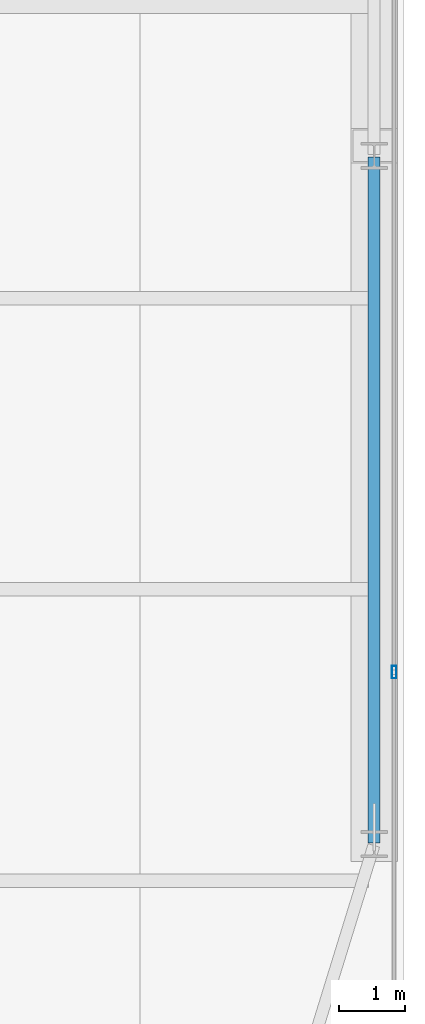
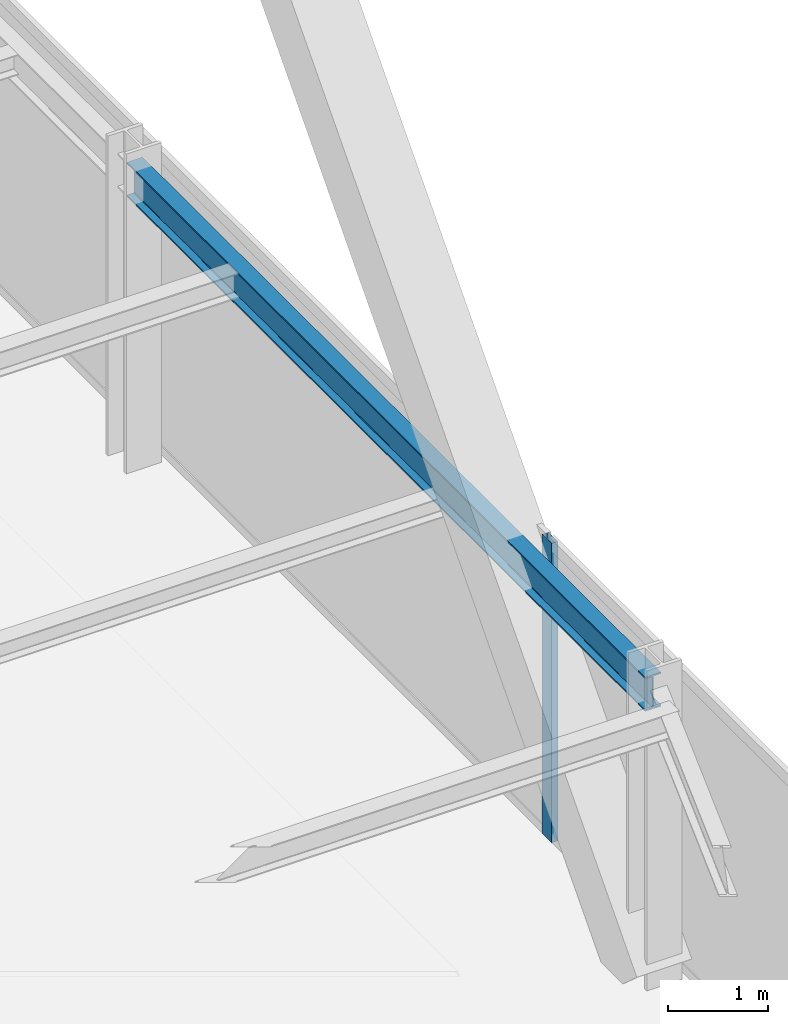
# One storey, part 17 of 32: 1 beam, 1 member, 1 element without a shape of its own.
"""IFC4 building model written with IfcOpenShell, lengths in metres."""

import ifcopenshell
import ifcopenshell.guid

model = None  # the IFC model being written
_history = None  # IfcOwnerHistory: only IFC2X3 demands one
_inside = {}  # id of a spatial element -> (the spatial element, [elements in it])
_under = {}  # id of a project, library or spatial element -> (it, [spatial elements below it])
_declared = {}  # id of a project -> (the project, [libraries it declares])
_typed = {}  # id of a type object -> (the type object, [elements of that type])
_made_of = {}  # id of a material, layer set ... -> (it, [elements and type objects made of it])


def new_model(schema):
    """Start an empty IFC model of exactly this schema.

    Asked for "IFC4X3", IfcOpenShell would pick the latest addendum, in which some entities
    have other attributes; the version numbers below select the first issue.
    IFC2X3 requires an IfcOwnerHistory on every rooted entity: one is made here for all.
    """
    global model, _history
    if schema == "IFC4X3":
        model = ifcopenshell.file(schema_version=(4, 3, 0, 0))
    else:
        model = ifcopenshell.file(schema=schema)
    _inside.clear()
    _under.clear()
    _declared.clear()
    _typed.clear()
    _made_of.clear()
    _history = None
    if model.schema == "IFC2X3":
        org = make("IfcOrganization", Name="unknown")
        user = make(
            "IfcPersonAndOrganization",
            ThePerson=make("IfcPerson", FamilyName="unknown"),
            TheOrganization=org,
        )
        app = make(
            "IfcApplication",
            ApplicationDeveloper=org,
            Version="unknown",
            ApplicationFullName="unknown",
            ApplicationIdentifier="unknown",
        )
        _history = make(
            "IfcOwnerHistory",
            OwningUser=user,
            OwningApplication=app,
            ChangeAction="ADDED",
            CreationDate=0,
        )
    return model


def make(cls, **values):
    """One entity of the class cls with the attributes given. An attribute that is None is left unset."""
    return model.create_entity(
        cls, **{name: value for name, value in values.items() if value is not None}
    )


def rooted(cls, **values):
    """An entity with a GlobalId (a new one), such as an element, a storey or a relation."""
    return make(cls, GlobalId=ifcopenshell.guid.new(), OwnerHistory=_history, **values)


def si_unit(unit_type, name, prefix=None):
    """IfcSIUnit, for example si_unit("LENGTHUNIT", "METRE", prefix="MILLI")."""
    return make("IfcSIUnit", UnitType=unit_type, Prefix=prefix, Name=name)


def assignment(units):
    """IfcUnitAssignment: the units of a project."""
    return None if units is None else make("IfcUnitAssignment", Units=units)


def point(xyz):
    """IfcCartesianPoint."""
    return None if xyz is None else make("IfcCartesianPoint", Coordinates=xyz)


def direction(xyz):
    """IfcDirection."""
    return None if xyz is None else make("IfcDirection", DirectionRatios=xyz)


def frame(location, z_axis=None, x_axis=None):
    """IfcAxis2Placement3D, a coordinate frame: its origin and axes. An axis left out is left unset."""
    return make(
        "IfcAxis2Placement3D",
        Location=point(location),
        Axis=direction(z_axis),
        RefDirection=direction(x_axis),
    )


def frame_2d(location, x_axis=None):
    """IfcAxis2Placement2D, a coordinate frame in the plane: its origin and x axis."""
    return make(
        "IfcAxis2Placement2D", Location=point(location), RefDirection=direction(x_axis)
    )


def origin():
    """The frame at (0, 0, 0) with its axes left unset."""
    return frame((0.0, 0.0, 0.0))


def origin_2d():
    """The frame at (0, 0) in the plane with its x axis left unset."""
    return frame_2d((0.0, 0.0))


def place(relative_to, where):
    """IfcLocalPlacement: puts the frame where relative to a parent placement (None: the world)."""
    return make(
        "IfcLocalPlacement", PlacementRelTo=relative_to, RelativePlacement=where
    )


def context(
    kind, dimensions, precision=None, world=None, true_north=None, identifier=None
):
    """IfcGeometricRepresentationContext, for example the 3D "Model" context."""
    return make(
        "IfcGeometricRepresentationContext",
        ContextIdentifier=identifier,
        ContextType=kind,
        CoordinateSpaceDimension=dimensions,
        Precision=precision,
        WorldCoordinateSystem=world,
        TrueNorth=true_north,
    )


def subcontext(parent, identifier, kind, view, scale=None):
    """IfcGeometricRepresentationSubContext, for example "Body" below "Model"."""
    return make(
        "IfcGeometricRepresentationSubContext",
        ContextIdentifier=identifier,
        ContextType=kind,
        ParentContext=parent,
        TargetScale=scale,
        TargetView=view,
    )


def project(units=None, contexts=None):
    """IfcProject with its units and contexts."""
    return rooted(
        "IfcProject",
        Name="project",
        RepresentationContexts=contexts,
        UnitsInContext=assignment(units),
    )


def spatial(cls, under=None, at=None, **own):
    """A site, building, storey or space (cls), placed at a placement, below another one or the project."""
    s = rooted(cls, ObjectPlacement=at, **own)
    if under is not None:
        _under.setdefault(under.id(), (under, []))[1].append(s)
    return s


def profile(cls, at=None, kind="AREA", **sizes):
    """A parametric profile (cls). Its sizes go by their IFC names, for example OverallWidth=200.0."""
    return make(cls, ProfileType=kind, Position=at, **sizes)


def hollow_rectangle(**sizes):
    """IfcRectangleHollowProfileDef."""
    return profile("IfcRectangleHollowProfileDef", **sizes)


def i_section(**sizes):
    """IfcIShapeProfileDef."""
    return profile("IfcIShapeProfileDef", **sizes)


def extrude(swept, where, along, depth):
    """IfcExtrudedAreaSolid: the profile swept, set in the frame where, extruded along a direction by depth."""
    return make(
        "IfcExtrudedAreaSolid",
        SweptArea=swept,
        Position=where,
        ExtrudedDirection=direction(along),
        Depth=depth,
    )


def shape(context_of_items, identifier, shape_type, items):
    """IfcShapeRepresentation: the items that make up one representation, for example the "Body"."""
    return make(
        "IfcShapeRepresentation",
        ContextOfItems=context_of_items,
        RepresentationIdentifier=identifier,
        RepresentationType=shape_type,
        Items=items,
    )


def source(mapping_origin, context_of_items, identifier, shape_type, items):
    """IfcRepresentationMap: a shape defined once, which mapped items show again and again."""
    return make(
        "IfcRepresentationMap",
        MappingOrigin=mapping_origin,
        MappedRepresentation=shape(context_of_items, identifier, shape_type, items),
    )


def transform(
    local_origin,
    x_axis=None,
    y_axis=None,
    z_axis=None,
    scale=None,
    scale2=None,
    scale3=None,
    uniform=True,
):
    """IfcCartesianTransformationOperator3D, or its non-uniform kind. x_axis, y_axis, z_axis: its Axis1, 2, 3."""
    if uniform:
        return make(
            "IfcCartesianTransformationOperator3D",
            Axis1=direction(x_axis),
            Axis2=direction(y_axis),
            LocalOrigin=point(local_origin),
            Scale=scale,
            Axis3=direction(z_axis),
        )
    return make(
        "IfcCartesianTransformationOperator3DnonUniform",
        Axis1=direction(x_axis),
        Axis2=direction(y_axis),
        LocalOrigin=point(local_origin),
        Scale=scale,
        Axis3=direction(z_axis),
        Scale2=scale2,
        Scale3=scale3,
    )


def mapped(mapping_source, mapping_target):
    """IfcMappedItem: shows the shape of a source again, moved by a transform."""
    return make(
        "IfcMappedItem", MappingSource=mapping_source, MappingTarget=mapping_target
    )


def material(Name=None, Category=None):
    """IfcMaterial."""
    return make("IfcMaterial", Name=Name, Category=Category)


def layer(
    of_material, thickness, ventilated=None, Name=None, Category=None, Priority=None
):
    """IfcMaterialLayer: one layer of a wall or slab, of a material (None: an air gap)."""
    return make(
        "IfcMaterialLayer",
        Material=of_material,
        LayerThickness=thickness,
        IsVentilated=ventilated,
        Name=Name,
        Category=Category,
        Priority=Priority,
    )


def layer_set(layers, Name=None):
    """IfcMaterialLayerSet."""
    return make("IfcMaterialLayerSet", MaterialLayers=layers, LayerSetName=Name)


def material_profile(
    of_material, cross_section, Name=None, Category=None, Priority=None
):
    """IfcMaterialProfile: a cross section and its material."""
    return make(
        "IfcMaterialProfile",
        Name=Name,
        Material=of_material,
        Profile=cross_section,
        Priority=Priority,
        Category=Category,
    )


def profile_set(profiles, Name=None, composite=None):
    """IfcMaterialProfileSet."""
    return make(
        "IfcMaterialProfileSet",
        Name=Name,
        MaterialProfiles=profiles,
        CompositeProfile=composite,
    )


def made_of(thing, what):
    """Note that an element or type object is made of a material, layer set ...; save() writes the relation."""
    if what is not None:
        _made_of.setdefault(what.id(), (what, []))[1].append(thing)
    return thing


def type_object(cls, material=None, **own):
    """A type object (cls), such as IfcWallType, which elements share."""
    return made_of(rooted(cls, **own), material)


def type_shapes(of_type, sources):
    """Give a type object the sources (RepresentationMaps) that its elements show as mapped items."""
    of_type.RepresentationMaps = sources


def element(
    cls,
    number,
    at=None,
    inside=None,
    cuts=None,
    type_object=None,
    material=None,
    context=None,
    identifier="Body",
    shape_type=None,
    held_by="IfcProductDefinitionShape",
    body=None,
    shapes=None,
    **own,
):
    """One element of the class cls, such as IfcWall. Its Tag is "e" and its number.

    at: its placement. inside: the storey or other place that contains it. cuts: it is an
    opening in that element (IfcRelVoidsElement). A single representation is given by context,
    identifier, shape_type and body (its items); several are given by shapes. held_by: the class
    of the entity that holds the representations. save() writes the other relations.
    """
    e = rooted(cls, Tag="e%d" % number, ObjectPlacement=at, **own)
    if body is not None:
        shapes = [shape(context, identifier, shape_type, body)]
    if shapes is not None:
        e.Representation = make(held_by, Representations=shapes)
    if inside is not None:
        _inside.setdefault(inside.id(), (inside, []))[1].append(e)
    if cuts is not None:
        rooted(
            "IfcRelVoidsElement", RelatingBuildingElement=cuts, RelatedOpeningElement=e
        )
    if type_object is not None:
        _typed.setdefault(type_object.id(), (type_object, []))[1].append(e)
    return made_of(e, material)


def aggregate(whole, parts):
    """IfcRelAggregates: a whole, such as a stair, and the parts it consists of."""
    return rooted("IfcRelAggregates", RelatingObject=whole, RelatedObjects=parts)


def save(model, path):
    """Write the relations noted so far, then the file.

    IfcRelAggregates (storeys below a building ...), IfcRelContainedInSpatialStructure (elements
    in a storey), IfcRelDefinesByType, IfcRelAssociatesMaterial and IfcRelDeclares: one each for
    every whole, place, type object, material and project.
    """
    for whole, parts in _under.values():
        aggregate(whole, parts)
    for where, things in _inside.values():
        rooted(
            "IfcRelContainedInSpatialStructure",
            RelatedElements=things,
            RelatingStructure=where,
        )
    for kind, things in _typed.values():
        rooted("IfcRelDefinesByType", RelatedObjects=things, RelatingType=kind)
    for what, things in _made_of.values():
        rooted("IfcRelAssociatesMaterial", RelatedObjects=things, RelatingMaterial=what)
    for by, libraries in _declared.values():
        rooted("IfcRelDeclares", RelatingContext=by, RelatedDefinitions=libraries)
    model.write(path)


model = new_model("IFC4")

# Units and contexts
model_context = context("Model", 3, precision=1e-05, world=origin(), true_north=direction((0.0, 1.0)))
body_context = subcontext(model_context, "Body", "Model", "MODEL_VIEW")
ifc_project = project(units=[si_unit("LENGTHUNIT", "METRE"), si_unit("AREAUNIT", "SQUARE_METRE"), si_unit("VOLUMEUNIT", "CUBIC_METRE"), si_unit("PLANEANGLEUNIT", "RADIAN"), si_unit("MASSUNIT", "GRAM", prefix="KILO")], contexts=[model_context])

# Site, building, storey
site_placement = place(None, origin())
site = spatial("IfcSite", under=ifc_project, at=site_placement, CompositionType="ELEMENT")
building_placement = place(site_placement, origin())
building = spatial("IfcBuilding", under=site, at=building_placement, Name="Varnel Quay Broadcast Tower", CompositionType="ELEMENT")
storey_placement = place(building_placement, frame((0.0, 0.0, 58.800048828125)))
storey = spatial("IfcBuildingStorey", under=building, at=storey_placement, Name="L13", CompositionType="ELEMENT", Elevation=58.800048828125)

# Beam
ifc_material_1 = material(Name="Structural Steel CSA G40.21 350W", Category="steel")
ifc_material_profile_1 = material_profile(ifc_material_1, i_section(OverallWidth=0.180908203125, OverallDepth=0.4169921875, WebThickness=0.010986328125, FlangeThickness=0.018310546875, FilletRadius=0.011962890625, at=origin_2d()), Name="W410X85")
ifc_profile_set_1 = profile_set([ifc_material_profile_1], Name="Structural Steel CSA G40.21 350W")
beam_type = type_object("IfcBeamType", Name="Beam_W410X85", PredefinedType="SPANDREL", material=ifc_profile_set_1)
shared_shape_1 = source(origin(), body_context, "Body", "SweptSolid", [
    extrude(i_section(OverallWidth=0.180908203125, OverallDepth=0.4169921875, WebThickness=0.010986328125, FlangeThickness=0.018310546875, FilletRadius=0.011962890625, at=origin_2d()), origin(), (0.0, 0.0, 1.0), 10.35986328125),
])
type_shapes(beam_type, [shared_shape_1])
beam_placement = place(storey_placement, frame((65.550048828125, 15.02001953125, 3.44140625), z_axis=(0.0, 1.0, 0.0), x_axis=(-1.0, 0.0, 0.0)))
element("IfcBeam", 1, at=beam_placement, inside=storey, type_object=beam_type, Name="L13 East Spandrel TC-E1-TC-E2", PredefinedType="SPANDREL", context=body_context, shape_type="MappedRepresentation", body=[
    mapped(shared_shape_1, transform((0.0, 0.0, 0.0), x_axis=(1.0, 0.0, 0.0), y_axis=(0.0, 1.0, 0.0), z_axis=(0.0, 0.0, 1.0), scale=1.0)),
])

# Curtain wall, member
ifc_material_2 = material(Name="Anodised Bronze Aluminium 6063-T6", Category="aluminium")
ifc_layer = layer(ifc_material_2, 0.18994140625, Name="Anodised Bronze Aluminium 6063-T6")
ifc_layer_set = layer_set([ifc_layer], Name="Anodised Bronze Aluminium 6063-T6")
curtain_wall_type = type_object("IfcCurtainWallType", Name="CW_LowerTower", PredefinedType="NOTDEFINED", material=ifc_layer_set)
curtain_wall_placement = place(storey_placement, origin())
curtain_wall = element("IfcCurtainWall", 2, at=curtain_wall_placement, inside=storey, type_object=curtain_wall_type, Name="L13 East Unitised Curtain Wall", PredefinedType="NOTDEFINED")
ifc_material_profile_2 = material_profile(ifc_material_2, hollow_rectangle(XDim=0.070068359375, YDim=0.18994140625, WallThickness=0.00390625, at=origin_2d()), Name="ALU70X190X4")
ifc_profile_set_2 = profile_set([ifc_material_profile_2], Name="Anodised Bronze Aluminium 6063-T6")
member_type = type_object("IfcMemberType", Name="Mull_CWS-02", PredefinedType="MULLION", material=ifc_profile_set_2)
shared_shape_2 = source(origin(), body_context, "Body", "SweptSolid", [
    extrude(hollow_rectangle(XDim=0.070068359375, YDim=0.18994140625, WallThickness=0.00390625, at=origin_2d()), origin(), (0.0, 0.0, 1.0), 3.64990234375),
])
type_shapes(member_type, [shared_shape_2])
member_placement = place(storey_placement, frame((65.85009765625, 17.60009765625, 0.0), z_axis=(0.0, 0.0, 1.0), x_axis=(-1.0, 0.0, 0.0)))
member = element("IfcMember", 3, at=member_placement, type_object=member_type, Name="CWS-02 mullion 2", PredefinedType="MULLION", context=body_context, shape_type="MappedRepresentation", body=[
    mapped(shared_shape_2, transform((0.0, 0.0, 0.0), x_axis=(1.0, 0.0, 0.0), y_axis=(0.0, 1.0, 0.0), z_axis=(0.0, 0.0, 1.0), scale=1.0)),
])
aggregate(curtain_wall, [member])

save(model, "model.ifc")
